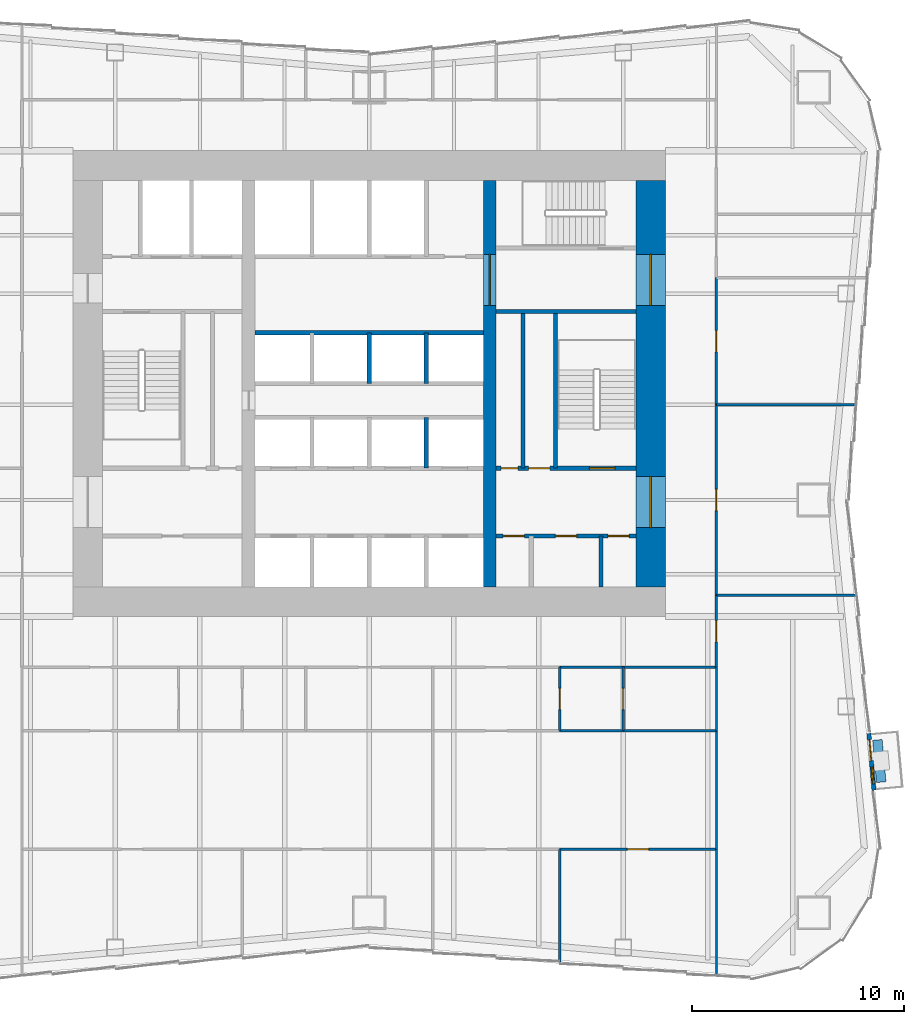
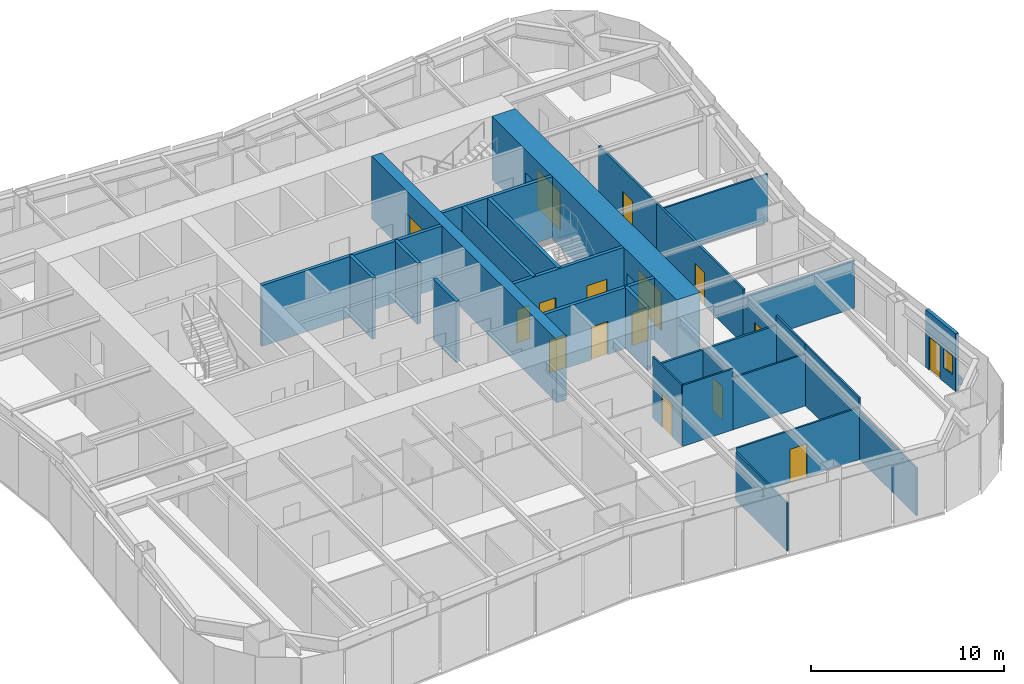
# One storey, part 5 of 9: 30 walls, 16 doors, 1 window, 17 openings.
"""IFC4 building model written with IfcOpenShell, lengths in metres."""

from ifc_helpers import new_model, si_unit, direction, frame, frame_2d, origin, place, context, subcontext, project, spatial, rectangle, extrude, material, layer, layer_set, type_object, element, fill, save


model = new_model("IFC4")

# Units and contexts
model_context = context("Model", 3, precision=1e-05, world=origin(), true_north=direction((0.0, 1.0)))
body_context = subcontext(model_context, "Body", "Model", "MODEL_VIEW")
ifc_project = project(units=[si_unit("LENGTHUNIT", "METRE"), si_unit("AREAUNIT", "SQUARE_METRE"), si_unit("VOLUMEUNIT", "CUBIC_METRE"), si_unit("PLANEANGLEUNIT", "RADIAN"), si_unit("MASSUNIT", "GRAM", prefix="KILO")], contexts=[model_context])

# Site, building, storey
site_placement = place(None, origin())
site = spatial("IfcSite", under=ifc_project, at=site_placement, CompositionType="ELEMENT")
building_placement = place(site_placement, origin())
building = spatial("IfcBuilding", under=site, at=building_placement, Name="Verdant Reach Tower", CompositionType="ELEMENT")
storey_placement = place(building_placement, frame((0.0, 0.0, 30.0)))
storey = spatial("IfcBuildingStorey", under=building, at=storey_placement, Name="L06", CompositionType="ELEMENT", Elevation=30.0)

# Wall, openings, doors
ifc_material_1 = material(Name="Gypsum board on steel studs", Category="steel")
ifc_layer_1 = layer(ifc_material_1, 0.199951171875)
ifc_layer_set_1 = layer_set([ifc_layer_1], Name="CO-WALL-ROOM")
wall_type_1 = type_object("IfcWallType", Name="CO-WALL-ROOM", PredefinedType="PARTITIONING", material=ifc_layer_set_1)
wall_1_placement = place(storey_placement, frame((6.0, 20.800048828125, 0.0), z_axis=(0.0, 0.0, 1.0), x_axis=(1.0, 0.0, 0.0)))
wall_1 = element("IfcWall", 1, at=wall_1_placement, inside=storey, type_object=wall_type_1, Name="Core partition, L06", PredefinedType="PARTITIONING", context=body_context, shape_type="SweptSolid", body=[
    extrude(rectangle(XDim=6.60009765625, YDim=0.199951171875, at=frame_2d((3.300048828125, 0.0))), origin(), (0.0, 0.0, 1.0), 3.8701171875),
])
opening_1_placement = place(wall_1_placement, frame((0.324951171875, 0.0, 0.0)))
opening_1 = element("IfcOpeningElement", 2, at=opening_1_placement, cuts=wall_1, Name="Opening CD", PredefinedType="OPENING", context=body_context, shape_type="SweptSolid", body=[
    extrude(rectangle(XDim=1.0, YDim=2.10009765625, at=frame_2d((0.5, 1.050048828125))), frame((0.0, 0.10986328125, 0.0), z_axis=(0.0, -1.0, 0.0), x_axis=(1.0, 0.0, 0.0)), (0.0, 0.0, 1.0), 0.219970703125),
])
opening_2_placement = place(wall_1_placement, frame((2.800048828125, 0.0, 0.0)))
opening_2 = element("IfcOpeningElement", 3, at=opening_2_placement, cuts=wall_1, Name="Opening CD", PredefinedType="OPENING", context=body_context, shape_type="SweptSolid", body=[
    extrude(rectangle(XDim=1.0, YDim=2.10009765625, at=frame_2d((0.5, 1.050048828125))), frame((0.0, 0.10986328125, 0.0), z_axis=(0.0, -1.0, 0.0), x_axis=(1.0, 0.0, 0.0)), (0.0, 0.0, 1.0), 0.219970703125),
])
opening_3_placement = place(wall_1_placement, frame((5.27490234375, 0.0, 0.0)))
opening_3 = element("IfcOpeningElement", 4, at=opening_3_placement, cuts=wall_1, Name="Opening CD", PredefinedType="OPENING", context=body_context, shape_type="SweptSolid", body=[
    extrude(rectangle(XDim=1.0, YDim=2.10009765625, at=frame_2d((0.5, 1.050048828125))), frame((0.0, 0.10986328125, 0.0), z_axis=(0.0, -1.0, 0.0), x_axis=(1.0, 0.0, 0.0)), (0.0, 0.0, 1.0), 0.219970703125),
])
ifc_material_2 = material(Name="Timber", Category="wood")
door_type_1 = type_object("IfcDoorType", Name="CO-DOOR-ROOM", OperationType="NOTDEFINED", PredefinedType="DOOR", material=ifc_material_2)
door_1_placement = place(opening_1_placement, origin())
door_1 = element("IfcDoor", 5, at=door_1_placement, inside=storey, type_object=door_type_1, Name="Core room door, L06", OperationType="SINGLE_SWING_LEFT", OverallHeight=2.10009765625, OverallWidth=1.0, PredefinedType="DOOR", context=body_context, shape_type="SweptSolid", body=[
    extrude(rectangle(XDim=1.0, YDim=2.10009765625, at=frame_2d((0.5, 1.050048828125))), frame((0.0, 0.02490234375, 0.0), z_axis=(0.0, -1.0, 0.0), x_axis=(1.0, 0.0, 0.0)), (0.0, 0.0, 1.0), 0.050048828125),
])
fill(opening_1, door_1)
door_2_placement = place(opening_2_placement, origin())
door_2 = element("IfcDoor", 6, at=door_2_placement, inside=storey, type_object=door_type_1, Name="Core room door, L06", OperationType="SINGLE_SWING_LEFT", OverallHeight=2.10009765625, OverallWidth=1.0, PredefinedType="DOOR", context=body_context, shape_type="SweptSolid", body=[
    extrude(rectangle(XDim=1.0, YDim=2.10009765625, at=frame_2d((0.5, 1.050048828125))), frame((0.0, 0.02490234375, 0.0), z_axis=(0.0, -1.0, 0.0), x_axis=(1.0, 0.0, 0.0)), (0.0, 0.0, 1.0), 0.050048828125),
])
fill(opening_2, door_2)
door_3_placement = place(opening_3_placement, origin())
door_3 = element("IfcDoor", 7, at=door_3_placement, inside=storey, type_object=door_type_1, Name="Core room door, L06", OperationType="SINGLE_SWING_LEFT", OverallHeight=2.10009765625, OverallWidth=1.0, PredefinedType="DOOR", context=body_context, shape_type="SweptSolid", body=[
    extrude(rectangle(XDim=1.0, YDim=2.10009765625, at=frame_2d((0.5, 1.050048828125))), frame((0.0, 0.02490234375, 0.0), z_axis=(0.0, -1.0, 0.0), x_axis=(1.0, 0.0, 0.0)), (0.0, 0.0, 1.0), 0.050048828125),
])
fill(opening_3, door_3)

# Walls
wall_2_placement = place(storey_placement, frame((7.260009765625, 24.0, 0.0), z_axis=(0.0, 0.0, 1.0), x_axis=(0.0, 1.0, 0.0)))
element("IfcWall", 8, at=wall_2_placement, inside=storey, type_object=wall_type_1, Name="Core partition, L06", PredefinedType="PARTITIONING", context=body_context, shape_type="SweptSolid", body=[
    extrude(rectangle(XDim=7.39990234375, YDim=0.199951171875, at=frame_2d((3.699951171875, 0.0))), origin(), (0.0, 0.0, 1.0), 3.8701171875),
])
wall_3_placement = place(storey_placement, frame((10.949951171875, 18.39990234375, 0.0), z_axis=(0.0, 0.0, 1.0), x_axis=(0.0, 1.0, 0.0)))
element("IfcWall", 9, at=wall_3_placement, inside=storey, type_object=wall_type_1, Name="Core partition, L06", PredefinedType="PARTITIONING", context=body_context, shape_type="SweptSolid", body=[
    extrude(rectangle(XDim=2.400146484375, YDim=0.199951171875, at=frame_2d((1.2001953125, 0.0))), origin(), (0.0, 0.0, 1.0), 3.8701171875),
])
ifc_material_3 = material(Name="Concrete C40/50", Category="concrete")
ifc_layer_2 = layer(ifc_material_3, 0.199951171875)
ifc_layer_set_2 = layer_set([ifc_layer_2], Name="CO-WALL-SHAFT")
wall_type_2 = type_object("IfcWallType", Name="CO-WALL-SHAFT", PredefinedType="PARTITIONING", material=ifc_layer_set_2)
wall_4_placement = place(storey_placement, frame((-5.39990234375, 30.39990234375, 0.0), z_axis=(0.0, 0.0, 1.0), x_axis=(1.0, 0.0, 0.0)))
element("IfcWall", 10, at=wall_4_placement, inside=storey, type_object=wall_type_2, Name="Lift shaft wall, L06", PredefinedType="PARTITIONING", context=body_context, shape_type="SweptSolid", body=[
    extrude(rectangle(XDim=10.7998046875, YDim=0.199951171875, at=frame_2d((5.39990234375, 0.0))), origin(), (0.0, 0.0, 1.0), 3.8701171875),
])
for number, where, z_axis, x_axis, name in (
    (11, (0.0, 28.0, 0.0), (0.0, 0.0, 1.0), (0.0, 1.0, 0.0), "Lift shaft wall, L06"),
    (12, (2.699951171875, 24.0, 0.0), (0.0, 0.0, 1.0), (0.0, 1.0, 0.0), "Lift shaft wall, L06"),
    (13, (2.699951171875, 28.0, 0.0), (0.0, 0.0, 1.0), (0.0, 1.0, 0.0), "Lift shaft wall, L06"),
):
    element("IfcWall", number, at=place(storey_placement, frame(where, z_axis=z_axis, x_axis=x_axis)), inside=storey, type_object=wall_type_2, Name=name, PredefinedType="PARTITIONING", context=body_context, shape_type="SweptSolid", body=[
        extrude(rectangle(XDim=2.39990234375, YDim=0.199951171875, at=frame_2d((1.199951171875, 0.0))), origin(), (0.0, 0.0, 1.0), 3.8701171875),
    ])

# Wall, openings, doors
ifc_layer_3 = layer(ifc_material_3, 0.199951171875)
ifc_layer_set_3 = layer_set([ifc_layer_3], Name="CO-WALL-STAIR")
wall_type_3 = type_object("IfcWallType", Name="CO-WALL-STAIR", PredefinedType="PARTITIONING", material=ifc_layer_set_3)
wall_5_placement = place(storey_placement, frame((6.0, 24.0, 0.0), z_axis=(0.0, 0.0, 1.0), x_axis=(1.0, 0.0, 0.0)))
wall_5 = element("IfcWall", 14, at=wall_5_placement, inside=storey, type_object=wall_type_3, Name="Stair enclosure wall, L06", PredefinedType="PARTITIONING", context=body_context, shape_type="SweptSolid", body=[
    extrude(rectangle(XDim=6.60009765625, YDim=0.199951171875, at=frame_2d((3.300048828125, 0.0))), origin(), (0.0, 0.0, 1.0), 3.8701171875),
])
opening_4_placement = place(wall_5_placement, frame((0.22998046875, 0.0, 0.0)))
opening_4 = element("IfcOpeningElement", 15, at=opening_4_placement, cuts=wall_5, Name="Opening CDN", PredefinedType="OPENING", context=body_context, shape_type="SweptSolid", body=[
    extrude(rectangle(XDim=0.800048828125, YDim=2.10009765625, at=frame_2d((0.39990234375, 1.050048828125))), frame((0.0, 0.10986328125, 0.0), z_axis=(0.0, -1.0, 0.0), x_axis=(1.0, 0.0, 0.0)), (0.0, 0.0, 1.0), 0.219970703125),
])
opening_5_placement = place(wall_5_placement, frame((1.530029296875, 0.0, 0.0)))
opening_5 = element("IfcOpeningElement", 16, at=opening_5_placement, cuts=wall_5, Name="Opening CD", PredefinedType="OPENING", context=body_context, shape_type="SweptSolid", body=[
    extrude(rectangle(XDim=1.0, YDim=2.10009765625, at=frame_2d((0.5, 1.050048828125))), frame((0.0, 0.10986328125, 0.0), z_axis=(0.0, -1.0, 0.0), x_axis=(1.0, 0.0, 0.0)), (0.0, 0.0, 1.0), 0.219970703125),
])
opening_6_placement = place(wall_5_placement, frame((4.39990234375, 0.0, 0.0)))
opening_6 = element("IfcOpeningElement", 17, at=opening_6_placement, cuts=wall_5, Name="Opening SD", PredefinedType="OPENING", context=body_context, shape_type="SweptSolid", body=[
    extrude(rectangle(XDim=1.199951171875, YDim=2.199951171875, at=frame_2d((0.60009765625, 1.10009765625))), frame((0.0, 0.10986328125, 0.0), z_axis=(0.0, -1.0, 0.0), x_axis=(1.0, 0.0, 0.0)), (0.0, 0.0, 1.0), 0.219970703125),
])
door_4_placement = place(opening_5_placement, origin())
door_4 = element("IfcDoor", 18, at=door_4_placement, inside=storey, type_object=door_type_1, Name="Core room door, L06", OperationType="SINGLE_SWING_LEFT", OverallHeight=2.10009765625, OverallWidth=1.0, PredefinedType="DOOR", context=body_context, shape_type="SweptSolid", body=[
    extrude(rectangle(XDim=1.0, YDim=2.10009765625, at=frame_2d((0.5, 1.050048828125))), frame((0.0, 0.02490234375, 0.0), z_axis=(0.0, -1.0, 0.0), x_axis=(1.0, 0.0, 0.0)), (0.0, 0.0, 1.0), 0.050048828125),
])
fill(opening_5, door_4)
door_type_2 = type_object("IfcDoorType", Name="CO-DOOR-ROOM-NARROW", OperationType="NOTDEFINED", PredefinedType="DOOR", material=ifc_material_2)
door_5_placement = place(opening_4_placement, origin())
door_5 = element("IfcDoor", 19, at=door_5_placement, inside=storey, type_object=door_type_2, Name="Core room door, L06", OperationType="SINGLE_SWING_RIGHT", OverallHeight=2.10009765625, OverallWidth=0.800048828125, PredefinedType="DOOR", context=body_context, shape_type="SweptSolid", body=[
    extrude(rectangle(XDim=0.800048828125, YDim=2.10009765625, at=frame_2d((0.39990234375, 1.050048828125))), frame((0.0, 0.02490234375, 0.0), z_axis=(0.0, -1.0, 0.0), x_axis=(1.0, 0.0, 0.0)), (0.0, 0.0, 1.0), 0.050048828125),
])
fill(opening_4, door_5)
ifc_material_4 = material(Name="Steel", Category="steel")
door_type_3 = type_object("IfcDoorType", Name="CO-DOOR-STAIR", OperationType="NOTDEFINED", PredefinedType="DOOR", material=ifc_material_4)
door_6_placement = place(opening_6_placement, origin())
door_6 = element("IfcDoor", 20, at=door_6_placement, inside=storey, type_object=door_type_3, Name="Stair door, L06", OperationType="SINGLE_SWING_LEFT", OverallHeight=2.199951171875, OverallWidth=1.199951171875, PredefinedType="DOOR", context=body_context, shape_type="SweptSolid", body=[
    extrude(rectangle(XDim=1.199951171875, YDim=2.199951171875, at=frame_2d((0.60009765625, 1.10009765625))), frame((0.0, 0.02490234375, 0.0), z_axis=(0.0, -1.0, 0.0), x_axis=(1.0, 0.0, 0.0)), (0.0, 0.0, 1.0), 0.050048828125),
])
fill(opening_6, door_6)

# Walls
wall_6_placement = place(storey_placement, frame((6.0, 31.39990234375, 0.0), z_axis=(0.0, 0.0, 1.0), x_axis=(1.0, 0.0, 0.0)))
element("IfcWall", 21, at=wall_6_placement, inside=storey, type_object=wall_type_3, Name="Stair enclosure wall, L06", PredefinedType="PARTITIONING", context=body_context, shape_type="SweptSolid", body=[
    extrude(rectangle(XDim=6.60009765625, YDim=0.199951171875, at=frame_2d((3.300048828125, 0.0))), origin(), (0.0, 0.0, 1.0), 3.8701171875),
])
wall_7_placement = place(storey_placement, frame((8.800048828125, 24.0, 0.0), z_axis=(0.0, 0.0, 1.0), x_axis=(0.0, 1.0, 0.0)))
element("IfcWall", 22, at=wall_7_placement, inside=storey, type_object=wall_type_3, Name="Stair enclosure wall, L06", PredefinedType="PARTITIONING", context=body_context, shape_type="SweptSolid", body=[
    extrude(rectangle(XDim=7.39990234375, YDim=0.199951171875, at=frame_2d((3.699951171875, 0.0))), origin(), (0.0, 0.0, 1.0), 3.8701171875),
])

# Wall, openings, door, window
ifc_material_5 = material(Name="Insulated bronze aluminium panel wall", Category="aluminium")
ifc_layer_4 = layer(ifc_material_5, 0.219970703125)
ifc_layer_set_4 = layer_set([ifc_layer_4], Name="EN-INFILL WALL")
wall_type_4 = type_object("IfcWallType", Name="EN-INFILL WALL", PredefinedType="SOLIDWALL", material=ifc_layer_set_4)
wall_8_placement = place(storey_placement, frame((23.846923828125, 8.788818359375, 0.0), z_axis=(0.0, 0.0, 1.0), x_axis=(-0.090552042494, 0.995891724838, 0.0)))
wall_8 = element("IfcWall", 23, at=wall_8_placement, inside=storey, type_object=wall_type_4, Name="External infill wall, balcony bay 1, L06", PredefinedType="SOLIDWALL", context=body_context, shape_type="SweptSolid", body=[
    extrude(rectangle(XDim=2.701416015625, YDim=0.199951171875, at=frame_2d((1.3505859375, 0.0))), origin(), (0.0, 0.0, 1.0), 3.64990234375),
])
opening_7_placement = place(wall_8_placement, frame((1.40087890625, 0.0, 0.0)))
opening_7 = element("IfcOpeningElement", 24, at=opening_7_placement, cuts=wall_8, Name="Opening BD1", PredefinedType="OPENING", context=body_context, shape_type="SweptSolid", body=[
    extrude(rectangle(XDim=1.0, YDim=2.10009765625, at=frame_2d((0.5, 1.050048828125))), frame((0.0, 0.10986328125, 0.0), z_axis=(0.0, -1.0, 0.0), x_axis=(1.0, 0.0, 0.0)), (0.0, 0.0, 1.0), 0.219970703125),
])
opening_8_placement = place(wall_8_placement, frame((0.30029296875, 0.0, 0.89990234375)))
opening_8 = element("IfcOpeningElement", 25, at=opening_8_placement, cuts=wall_8, Name="Opening BW1", PredefinedType="OPENING", context=body_context, shape_type="SweptSolid", body=[
    extrude(rectangle(XDim=0.800048828125, YDim=1.199951171875, at=frame_2d((0.39990234375, 0.60009765625))), frame((0.0, 0.10986328125, 0.0), z_axis=(0.0, -1.0, 0.0), x_axis=(1.0, 0.0, 0.0)), (0.0, 0.0, 1.0), 0.219970703125),
])
ifc_material_6 = material(Name="Aluminium framed glazed door", Category="aluminium")
door_type_4 = type_object("IfcDoorType", Name="EN-DOOR BALCONY", OperationType="NOTDEFINED", PredefinedType="DOOR", material=ifc_material_6)
door_7_placement = place(opening_7_placement, origin())
door_7 = element("IfcDoor", 26, at=door_7_placement, inside=storey, type_object=door_type_4, Name="Balcony door 1, L06", OperationType="SINGLE_SWING_RIGHT", OverallHeight=2.10009765625, OverallWidth=1.0, PredefinedType="DOOR", context=body_context, shape_type="SweptSolid", body=[
    extrude(rectangle(XDim=1.0, YDim=2.10009765625, at=frame_2d((0.5, 1.050048828125))), frame((0.0, 0.02490234375, 0.0), z_axis=(0.0, -1.0, 0.0), x_axis=(1.0, 0.0, 0.0)), (0.0, 0.0, 1.0), 0.050048828125),
])
fill(opening_7, door_7)
ifc_material_7 = material(Name="Aluminium framed glazing", Category="aluminium")
window_type = type_object("IfcWindowType", Name="EN-WINDOW BALCONY", PartitioningType="SINGLE_PANEL", PredefinedType="WINDOW", material=ifc_material_7)
window_placement = place(opening_8_placement, origin())
window = element("IfcWindow", 27, at=window_placement, inside=storey, type_object=window_type, Name="Balcony window 1, L06", OverallHeight=1.199951171875, OverallWidth=0.800048828125, PartitioningType="SINGLE_PANEL", PredefinedType="WINDOW", context=body_context, shape_type="SweptSolid", body=[
    extrude(rectangle(XDim=0.800048828125, YDim=1.199951171875, at=frame_2d((0.39990234375, 0.60009765625))), frame((0.0, 0.030029296875, 0.0), z_axis=(0.0, -1.0, 0.0), x_axis=(1.0, 0.0, 0.0)), (0.0, 0.0, 1.0), 0.06005859375),
])
fill(opening_8, window)

# Wall
ifc_material_8 = material(Name="Precast concrete C30/37", Category="concrete")
ifc_layer_5 = layer(ifc_material_8, 0.449951171875)
ifc_layer_set_5 = layer_set([ifc_layer_5], Name="EN-PLANTER")
wall_type_5 = type_object("IfcWallType", Name="EN-PLANTER", PredefinedType="USERDEFINED", material=ifc_layer_set_5)
wall_9_placement = place(storey_placement, frame((24.188720703125, 9.17138671875, 0.0), z_axis=(0.0, 0.0, 1.0), x_axis=(-0.090513748512, 0.995895205998, 0.0)))
element("IfcWall", 28, at=wall_9_placement, inside=storey, type_object=wall_type_5, Name="Balcony planter 1, L06", ObjectType="PLANTER", PredefinedType="USERDEFINED", context=body_context, shape_type="SweptSolid", body=[
    extrude(rectangle(XDim=2.00146484375, YDim=0.449951171875, at=frame_2d((1.000732421875, 0.0))), origin(), (0.0, 0.0, 1.0), 0.39990234375),
])

# Wall, opening, door
ifc_layer_6 = layer(ifc_material_1, 0.10009765625)
ifc_layer_set_6 = layer_set([ifc_layer_6], Name="FL-W1 Partition 100")
wall_type_6 = type_object("IfcWallType", Name="FL-W1 Partition 100", PredefinedType="PARTITIONING", material=ifc_layer_set_6)
wall_10_placement = place(storey_placement, frame((9.0, 14.60009765625, 0.0), z_axis=(0.0, 0.0, 1.0), x_axis=(0.0, -1.0, 0.0)))
wall_10 = element("IfcWall", 29, at=wall_10_placement, inside=storey, type_object=wall_type_6, Name="Partition 06.38", PredefinedType="PARTITIONING", context=body_context, shape_type="SweptSolid", body=[
    extrude(rectangle(XDim=3.0, YDim=0.10009765625, at=frame_2d((1.5, 0.0))), origin(), (0.0, 0.0, 1.0), 3.8701171875),
])
opening_9_placement = place(wall_10_placement, frame((1.0, 0.0, 0.0)))
opening_9 = element("IfcOpeningElement", 30, at=opening_9_placement, cuts=wall_10, Name="Opening D3", PredefinedType="OPENING", context=body_context, shape_type="SweptSolid", body=[
    extrude(rectangle(XDim=1.0, YDim=2.10009765625, at=frame_2d((0.5, 1.050048828125))), frame((0.0, 0.06005859375, 0.0), z_axis=(0.0, -1.0, 0.0), x_axis=(1.0, 0.0, 0.0)), (0.0, 0.0, 1.0), 0.1201171875),
])
ifc_material_9 = material(Name="Painted timber door leaf", Category="wood")
door_type_5 = type_object("IfcDoorType", Name="FL-D3 Door 1000x2100", OperationType="NOTDEFINED", PredefinedType="DOOR", material=ifc_material_9)
door_8_placement = place(opening_9_placement, origin())
door_8 = element("IfcDoor", 31, at=door_8_placement, inside=storey, type_object=door_type_5, Name="Door 06-023", OperationType="SINGLE_SWING_LEFT", OverallHeight=2.10009765625, OverallWidth=1.0, PredefinedType="DOOR", context=body_context, shape_type="SweptSolid", body=[
    extrude(rectangle(XDim=1.0, YDim=2.10009765625, at=frame_2d((0.5, 1.050048828125))), frame((0.0, 0.02490234375, 0.0), z_axis=(0.0, -1.0, 0.0), x_axis=(1.0, 0.0, 0.0)), (0.0, 0.0, 1.0), 0.050048828125),
])
fill(opening_9, door_8)

wall_11_placement = place(storey_placement, frame((12.0, 14.60009765625, 0.0), z_axis=(0.0, 0.0, 1.0), x_axis=(0.0, -1.0, 0.0)))
wall_11 = element("IfcWall", 32, at=wall_11_placement, inside=storey, type_object=wall_type_6, Name="Partition 06.40", PredefinedType="PARTITIONING", context=body_context, shape_type="SweptSolid", body=[
    extrude(rectangle(XDim=3.0, YDim=0.10009765625, at=frame_2d((1.5, 0.0))), origin(), (0.0, 0.0, 1.0), 3.2900390625),
])
opening_10_placement = place(wall_11_placement, frame((1.0, 0.0, 0.0)))
opening_10 = element("IfcOpeningElement", 33, at=opening_10_placement, cuts=wall_11, Name="Opening D3", PredefinedType="OPENING", context=body_context, shape_type="SweptSolid", body=[
    extrude(rectangle(XDim=1.0, YDim=2.10009765625, at=frame_2d((0.5, 1.050048828125))), frame((0.0, 0.06005859375, 0.0), z_axis=(0.0, -1.0, 0.0), x_axis=(1.0, 0.0, 0.0)), (0.0, 0.0, 1.0), 0.1201171875),
])
door_9_placement = place(opening_10_placement, origin())
door_9 = element("IfcDoor", 34, at=door_9_placement, inside=storey, type_object=door_type_5, Name="Door 06-025", OperationType="SINGLE_SWING_LEFT", OverallHeight=2.10009765625, OverallWidth=1.0, PredefinedType="DOOR", context=body_context, shape_type="SweptSolid", body=[
    extrude(rectangle(XDim=1.0, YDim=2.10009765625, at=frame_2d((0.5, 1.050048828125))), frame((0.0, 0.02490234375, 0.0), z_axis=(0.0, -1.0, 0.0), x_axis=(1.0, 0.0, 0.0)), (0.0, 0.0, 1.0), 0.050048828125),
])
fill(opening_10, door_9)

# Walls
wall_12_placement = place(storey_placement, frame((8.99609375, 11.60009765625, 0.0), z_axis=(0.0, 0.0, 1.0), x_axis=(1.0, 0.0, 0.0)))
element("IfcWall", 35, at=wall_12_placement, inside=storey, type_object=wall_type_6, Name="Partition 06.41", PredefinedType="PARTITIONING", context=body_context, shape_type="SweptSolid", body=[
    extrude(rectangle(XDim=3.0078125, YDim=0.10009765625, at=frame_2d((1.50390625, 0.0))), origin(), (0.0, 0.0, 1.0), 3.8701171875),
])
wall_13_placement = place(storey_placement, frame((11.99609375, 11.60009765625, 0.0), z_axis=(0.0, 0.0, 1.0), x_axis=(1.0, 0.0, 0.0)))
element("IfcWall", 36, at=wall_13_placement, inside=storey, type_object=wall_type_6, Name="Partition 06.42", PredefinedType="PARTITIONING", context=body_context, shape_type="SweptSolid", body=[
    extrude(rectangle(XDim=4.40380859375, YDim=0.10009765625, at=frame_2d((2.201904296875, 0.0))), origin(), (0.0, 0.0, 1.0), 3.2900390625),
])
wall_14_placement = place(storey_placement, frame((16.39990234375, 11.595947265625, 0.0), z_axis=(0.0, 0.0, 1.0), x_axis=(0.0, 1.0, 0.0)))
element("IfcWall", 37, at=wall_14_placement, inside=storey, type_object=wall_type_6, Name="Partition 06.43", PredefinedType="PARTITIONING", context=body_context, shape_type="SweptSolid", body=[
    extrude(rectangle(XDim=3.008056640625, YDim=0.10009765625, at=frame_2d((1.50390625, 0.0))), origin(), (0.0, 0.0, 1.0), 3.8701171875),
])

# Wall, opening, door
wall_15_placement = place(storey_placement, frame((16.39990234375, 6.0, 0.0), z_axis=(0.0, 0.0, 1.0), x_axis=(-1.0, 0.0, 0.0)))
wall_15 = element("IfcWall", 38, at=wall_15_placement, inside=storey, type_object=wall_type_6, Name="Partition 06.45", PredefinedType="PARTITIONING", context=body_context, shape_type="SweptSolid", body=[
    extrude(rectangle(XDim=7.39990234375, YDim=0.10009765625, at=frame_2d((3.699951171875, 0.0))), origin(), (0.0, 0.0, 1.0), 3.2900390625),
])
opening_11_placement = place(wall_15_placement, frame((3.199951171875, 0.0, 0.0)))
opening_11 = element("IfcOpeningElement", 39, at=opening_11_placement, cuts=wall_15, Name="Opening D3", PredefinedType="OPENING", context=body_context, shape_type="SweptSolid", body=[
    extrude(rectangle(XDim=1.0, YDim=2.10009765625, at=frame_2d((0.5, 1.050048828125))), frame((0.0, 0.06005859375, 0.0), z_axis=(0.0, -1.0, 0.0), x_axis=(1.0, 0.0, 0.0)), (0.0, 0.0, 1.0), 0.1201171875),
])
door_10_placement = place(opening_11_placement, origin())
door_10 = element("IfcDoor", 40, at=door_10_placement, inside=storey, type_object=door_type_5, Name="Door 06-027", OperationType="SINGLE_SWING_LEFT", OverallHeight=2.10009765625, OverallWidth=1.0, PredefinedType="DOOR", context=body_context, shape_type="SweptSolid", body=[
    extrude(rectangle(XDim=1.0, YDim=2.10009765625, at=frame_2d((0.5, 1.050048828125))), frame((0.0, 0.02490234375, 0.0), z_axis=(0.0, -1.0, 0.0), x_axis=(1.0, 0.0, 0.0)), (0.0, 0.0, 1.0), 0.050048828125),
])
fill(opening_11, door_10)

# Walls
wall_16_placement = place(storey_placement, frame((16.39990234375, 5.99609375, 0.0), z_axis=(0.0, 0.0, 1.0), x_axis=(0.0, 1.0, 0.0)))
element("IfcWall", 41, at=wall_16_placement, inside=storey, type_object=wall_type_6, Name="Partition 06.46", PredefinedType="PARTITIONING", context=body_context, shape_type="SweptSolid", body=[
    extrude(rectangle(XDim=5.60791015625, YDim=0.10009765625, at=frame_2d((2.803955078125, 0.0))), origin(), (0.0, 0.0, 1.0), 3.8701171875),
])
wall_17_placement = place(storey_placement, frame((9.0, 0.669921875, 0.0), z_axis=(0.0, 0.0, 1.0), x_axis=(0.0, 1.0, 0.0)))
element("IfcWall", 42, at=wall_17_placement, inside=storey, type_object=wall_type_6, Name="Partition 06.47", PredefinedType="PARTITIONING", context=body_context, shape_type="SweptSolid", body=[
    extrude(rectangle(XDim=5.330078125, YDim=0.10009765625, at=frame_2d((2.6650390625, 0.0))), origin(), (0.0, 0.0, 1.0), 3.0400390625),
])
wall_18_placement = place(storey_placement, frame((16.39990234375, 0.05322265625, 0.0), z_axis=(0.0, 0.0, 1.0), x_axis=(0.0, 1.0, 0.0)))
element("IfcWall", 43, at=wall_18_placement, inside=storey, type_object=wall_type_6, Name="Partition 06.48", PredefinedType="PARTITIONING", context=body_context, shape_type="SweptSolid", body=[
    extrude(rectangle(XDim=5.95068359375, YDim=0.10009765625, at=frame_2d((2.975341796875, 0.0))), origin(), (0.0, 0.0, 1.0), 3.0400390625),
])
for number, where, z_axis, x_axis, name in (
    (44, (22.989013671875, 18.0, 0.0), (0.0, 0.0, 1.0), (-1.0, 0.0, 0.0), "Partition 06.58"),
    (45, (22.989013671875, 27.0, 0.0), (0.0, 0.0, 1.0), (-1.0, 0.0, 0.0), "Partition 06.59"),
):
    element("IfcWall", number, at=place(storey_placement, frame(where, z_axis=z_axis, x_axis=x_axis)), inside=storey, type_object=wall_type_6, Name=name, PredefinedType="PARTITIONING", context=body_context, shape_type="SweptSolid", body=[
        extrude(rectangle(XDim=6.589111328125, YDim=0.10009765625, at=frame_2d((3.29443359375, 0.0))), origin(), (0.0, 0.0, 1.0), 3.0400390625),
    ])
ifc_material_10 = material(Name="Gypsum board on steel studs, fire rated", Category="steel")
ifc_layer_7 = layer(ifc_material_10, 0.125)
ifc_layer_set_7 = layer_set([ifc_layer_7], Name="FL-W2 Corridor wall 125")
wall_type_7 = type_object("IfcWallType", Name="FL-W2 Corridor wall 125", PredefinedType="PARTITIONING", material=ifc_layer_set_7)
wall_19_placement = place(storey_placement, frame((9.0, 14.60009765625, 0.0), z_axis=(0.0, 0.0, 1.0), x_axis=(1.0, 0.0, 0.0)))
element("IfcWall", 46, at=wall_19_placement, inside=storey, type_object=wall_type_7, Name="Partition 06.06", PredefinedType="PARTITIONING", context=body_context, shape_type="SweptSolid", body=[
    extrude(rectangle(XDim=3.0, YDim=0.125, at=frame_2d((1.5, 0.0))), origin(), (0.0, 0.0, 1.0), 3.2900390625),
])
wall_20_placement = place(storey_placement, frame((12.0, 14.60009765625, 0.0), z_axis=(0.0, 0.0, 1.0), x_axis=(1.0, 0.0, 0.0)))
element("IfcWall", 47, at=wall_20_placement, inside=storey, type_object=wall_type_7, Name="Partition 06.07", PredefinedType="PARTITIONING", context=body_context, shape_type="SweptSolid", body=[
    extrude(rectangle(XDim=4.39990234375, YDim=0.125, at=frame_2d((2.199951171875, 0.0))), origin(), (0.0, 0.0, 1.0), 3.2900390625),
])

# Wall, opening, door
wall_21_placement = place(storey_placement, frame((16.39990234375, 18.0, 0.0), z_axis=(0.0, 0.0, 1.0), x_axis=(0.0, -1.0, 0.0)))
wall_21 = element("IfcWall", 48, at=wall_21_placement, inside=storey, type_object=wall_type_7, Name="Partition 06.17", PredefinedType="PARTITIONING", context=body_context, shape_type="SweptSolid", body=[
    extrude(rectangle(XDim=3.404052734375, YDim=0.125, at=frame_2d((1.7021484375, 0.0))), origin(), (0.0, 0.0, 1.0), 3.139892578125),
])
opening_12_placement = place(wall_21_placement, frame((1.201904296875, 0.0, 0.0)))
opening_12 = element("IfcOpeningElement", 49, at=opening_12_placement, cuts=wall_21, Name="Opening D2", PredefinedType="OPENING", context=body_context, shape_type="SweptSolid", body=[
    extrude(rectangle(XDim=1.0, YDim=2.10009765625, at=frame_2d((0.5, 1.050048828125))), frame((0.0, 0.072509765625, 0.0), z_axis=(0.0, -1.0, 0.0), x_axis=(1.0, 0.0, 0.0)), (0.0, 0.0, 1.0), 0.14501953125),
])
ifc_material_11 = material(Name="Timber door leaf, fire rated", Category="wood")
door_type_6 = type_object("IfcDoorType", Name="FL-D2 Entrance door 1000x2100 FD30", OperationType="NOTDEFINED", PredefinedType="DOOR", material=ifc_material_11)
door_11_placement = place(opening_12_placement, origin())
door_11 = element("IfcDoor", 50, at=door_11_placement, inside=storey, type_object=door_type_6, Name="Door 06-013", OperationType="SINGLE_SWING_LEFT", OverallHeight=2.10009765625, OverallWidth=1.0, PredefinedType="DOOR", context=body_context, shape_type="SweptSolid", body=[
    extrude(rectangle(XDim=1.0, YDim=2.10009765625, at=frame_2d((0.5, 1.050048828125))), frame((0.0, 0.02490234375, 0.0), z_axis=(0.0, -1.0, 0.0), x_axis=(1.0, 0.0, 0.0)), (0.0, 0.0, 1.0), 0.050048828125),
])
fill(opening_12, door_11)

wall_22_placement = place(storey_placement, frame((16.39990234375, 27.0, 0.0), z_axis=(0.0, 0.0, 1.0), x_axis=(0.0, -1.0, 0.0)))
wall_22 = element("IfcWall", 51, at=wall_22_placement, inside=storey, type_object=wall_type_7, Name="Partition 06.18", PredefinedType="PARTITIONING", context=body_context, shape_type="SweptSolid", body=[
    extrude(rectangle(XDim=9.0, YDim=0.125, at=frame_2d((4.5, 0.0))), origin(), (0.0, 0.0, 1.0), 3.47998046875),
])
opening_13_placement = place(wall_22_placement, frame((4.0, 0.0, 0.0)))
opening_13 = element("IfcOpeningElement", 52, at=opening_13_placement, cuts=wall_22, Name="Opening D2", PredefinedType="OPENING", context=body_context, shape_type="SweptSolid", body=[
    extrude(rectangle(XDim=1.0, YDim=2.10009765625, at=frame_2d((0.5, 1.050048828125))), frame((0.0, 0.072509765625, 0.0), z_axis=(0.0, -1.0, 0.0), x_axis=(1.0, 0.0, 0.0)), (0.0, 0.0, 1.0), 0.14501953125),
])
door_12_placement = place(opening_13_placement, origin())
door_12 = element("IfcDoor", 53, at=door_12_placement, inside=storey, type_object=door_type_6, Name="Door 06-014", OperationType="SINGLE_SWING_RIGHT", OverallHeight=2.10009765625, OverallWidth=1.0, PredefinedType="DOOR", context=body_context, shape_type="SweptSolid", body=[
    extrude(rectangle(XDim=1.0, YDim=2.10009765625, at=frame_2d((0.5, 1.050048828125))), frame((0.0, 0.02490234375, 0.0), z_axis=(0.0, -1.0, 0.0), x_axis=(1.0, 0.0, 0.0)), (0.0, 0.0, 1.0), 0.050048828125),
])
fill(opening_13, door_12)

wall_23_placement = place(storey_placement, frame((16.39990234375, 33.0, 0.0), z_axis=(0.0, 0.0, 1.0), x_axis=(0.0, -1.0, 0.0)))
wall_23 = element("IfcWall", 54, at=wall_23_placement, inside=storey, type_object=wall_type_7, Name="Partition 06.19", PredefinedType="PARTITIONING", context=body_context, shape_type="SweptSolid", body=[
    extrude(rectangle(XDim=6.0, YDim=0.125, at=frame_2d((3.0, 0.0))), origin(), (0.0, 0.0, 1.0), 3.47998046875),
])
opening_14_placement = place(wall_23_placement, frame((2.5, 0.0, 0.0)))
opening_14 = element("IfcOpeningElement", 55, at=opening_14_placement, cuts=wall_23, Name="Opening D2", PredefinedType="OPENING", context=body_context, shape_type="SweptSolid", body=[
    extrude(rectangle(XDim=1.0, YDim=2.10009765625, at=frame_2d((0.5, 1.050048828125))), frame((0.0, 0.072509765625, 0.0), z_axis=(0.0, -1.0, 0.0), x_axis=(1.0, 0.0, 0.0)), (0.0, 0.0, 1.0), 0.14501953125),
])
door_13_placement = place(opening_14_placement, origin())
door_13 = element("IfcDoor", 56, at=door_13_placement, inside=storey, type_object=door_type_6, Name="Door 06-015", OperationType="SINGLE_SWING_LEFT", OverallHeight=2.10009765625, OverallWidth=1.0, PredefinedType="DOOR", context=body_context, shape_type="SweptSolid", body=[
    extrude(rectangle(XDim=1.0, YDim=2.10009765625, at=frame_2d((0.5, 1.050048828125))), frame((0.0, 0.02490234375, 0.0), z_axis=(0.0, -1.0, 0.0), x_axis=(1.0, 0.0, 0.0)), (0.0, 0.0, 1.0), 0.050048828125),
])
fill(opening_14, door_13)

# Wall, openings, doors
ifc_material_12 = material(Name="Concrete C70/85", Category="concrete")
ifc_layer_8 = layer(ifc_material_12, 1.39990234375)
ifc_layer_set_8 = layer_set([ifc_layer_8], Name="ST-CORE-WALL-1400")
wall_type_8 = type_object("IfcWallType", Name="ST-CORE-WALL-1400", PredefinedType="SHEAR", material=ifc_layer_set_8)
wall_24_placement = place(storey_placement, frame((13.300048828125, 18.39990234375, -0.1298828125), z_axis=(0.0, 0.0, 1.0), x_axis=(0.0, 1.0, 0.0)))
wall_24 = element("IfcWall", 57, at=wall_24_placement, inside=storey, type_object=wall_type_8, Name="Core wall E, L06", PredefinedType="SHEAR", context=body_context, shape_type="SweptSolid", body=[
    extrude(rectangle(XDim=19.2001953125, YDim=1.39990234375, at=frame_2d((9.60009765625, 0.0))), origin(), (0.0, 0.0, 1.0), 4.0),
])
opening_15_placement = place(wall_24_placement, frame((2.800048828125, 0.0, 0.1298828125)))
opening_15 = element("IfcOpeningElement", 58, at=opening_15_placement, cuts=wall_24, Name="Opening LB", PredefinedType="OPENING", context=body_context, shape_type="SweptSolid", body=[
    extrude(rectangle(XDim=2.39990234375, YDim=2.39990234375, at=frame_2d((1.199951171875, 1.199951171875))), frame((0.0, 0.7099609375, 0.0), z_axis=(0.0, -1.0, 0.0), x_axis=(1.0, 0.0, 0.0)), (0.0, 0.0, 1.0), 1.419921875),
])
opening_16_placement = place(wall_24_placement, frame((13.300048828125, 0.0, 0.1298828125)))
opening_16 = element("IfcOpeningElement", 59, at=opening_16_placement, cuts=wall_24, Name="Opening LB", PredefinedType="OPENING", context=body_context, shape_type="SweptSolid", body=[
    extrude(rectangle(XDim=2.39990234375, YDim=2.39990234375, at=frame_2d((1.199951171875, 1.199951171875))), frame((0.0, 0.7099609375, 0.0), z_axis=(0.0, -1.0, 0.0), x_axis=(1.0, 0.0, 0.0)), (0.0, 0.0, 1.0), 1.419921875),
])
ifc_material_13 = material(Name="Glass and steel", Category="steel")
door_type_7 = type_object("IfcDoorType", Name="CO-DOOR-LOBBY", OperationType="DOUBLE_DOOR_SINGLE_SWING", PredefinedType="DOOR", material=ifc_material_13)
door_14_placement = place(opening_15_placement, origin())
door_14 = element("IfcDoor", 60, at=door_14_placement, inside=storey, type_object=door_type_7, Name="Core entrance door, L06", OperationType="DOUBLE_DOOR_SINGLE_SWING", OverallHeight=2.39990234375, OverallWidth=2.39990234375, PredefinedType="DOOR", context=body_context, shape_type="SweptSolid", body=[
    extrude(rectangle(XDim=2.39990234375, YDim=2.39990234375, at=frame_2d((1.199951171875, 1.199951171875))), frame((0.0, 0.02490234375, 0.0), z_axis=(0.0, -1.0, 0.0), x_axis=(1.0, 0.0, 0.0)), (0.0, 0.0, 1.0), 0.050048828125),
])
fill(opening_15, door_14)
door_15_placement = place(opening_16_placement, origin())
door_15 = element("IfcDoor", 61, at=door_15_placement, inside=storey, type_object=door_type_7, Name="Core entrance door, L06", OperationType="DOUBLE_DOOR_SINGLE_SWING", OverallHeight=2.39990234375, OverallWidth=2.39990234375, PredefinedType="DOOR", context=body_context, shape_type="SweptSolid", body=[
    extrude(rectangle(XDim=2.39990234375, YDim=2.39990234375, at=frame_2d((1.199951171875, 1.199951171875))), frame((0.0, 0.02490234375, 0.0), z_axis=(0.0, -1.0, 0.0), x_axis=(1.0, 0.0, 0.0)), (0.0, 0.0, 1.0), 0.050048828125),
])
fill(opening_16, door_15)

# Wall, opening, door
ifc_layer_9 = layer(ifc_material_12, 0.60009765625)
ifc_layer_set_9 = layer_set([ifc_layer_9], Name="ST-CORE-WALL-600")
wall_type_9 = type_object("IfcWallType", Name="ST-CORE-WALL-600", PredefinedType="SHEAR", material=ifc_layer_set_9)
wall_25_placement = place(storey_placement, frame((5.699951171875, 18.39990234375, -0.1298828125), z_axis=(0.0, 0.0, 1.0), x_axis=(0.0, 1.0, 0.0)))
wall_25 = element("IfcWall", 62, at=wall_25_placement, inside=storey, type_object=wall_type_9, Name="Core wall XE, L06", PredefinedType="SHEAR", context=body_context, shape_type="SweptSolid", body=[
    extrude(rectangle(XDim=19.2001953125, YDim=0.60009765625, at=frame_2d((9.60009765625, 0.0))), origin(), (0.0, 0.0, 1.0), 4.0),
])
opening_17_placement = place(wall_25_placement, frame((13.300048828125, 0.0, 0.1298828125)))
opening_17 = element("IfcOpeningElement", 63, at=opening_17_placement, cuts=wall_25, Name="Opening LB", PredefinedType="OPENING", context=body_context, shape_type="SweptSolid", body=[
    extrude(rectangle(XDim=2.39990234375, YDim=2.39990234375, at=frame_2d((1.199951171875, 1.199951171875))), frame((0.0, 0.31005859375, 0.0), z_axis=(0.0, -1.0, 0.0), x_axis=(1.0, 0.0, 0.0)), (0.0, 0.0, 1.0), 0.6201171875),
])
door_16_placement = place(opening_17_placement, origin())
door_16 = element("IfcDoor", 64, at=door_16_placement, inside=storey, type_object=door_type_7, Name="Core entrance door, L06", OperationType="DOUBLE_DOOR_SINGLE_SWING", OverallHeight=2.39990234375, OverallWidth=2.39990234375, PredefinedType="DOOR", context=body_context, shape_type="SweptSolid", body=[
    extrude(rectangle(XDim=2.39990234375, YDim=2.39990234375, at=frame_2d((1.199951171875, 1.199951171875))), frame((0.0, 0.02490234375, 0.0), z_axis=(0.0, -1.0, 0.0), x_axis=(1.0, 0.0, 0.0)), (0.0, 0.0, 1.0), 0.050048828125),
])
fill(opening_17, door_16)

save(model, "model.ifc")
